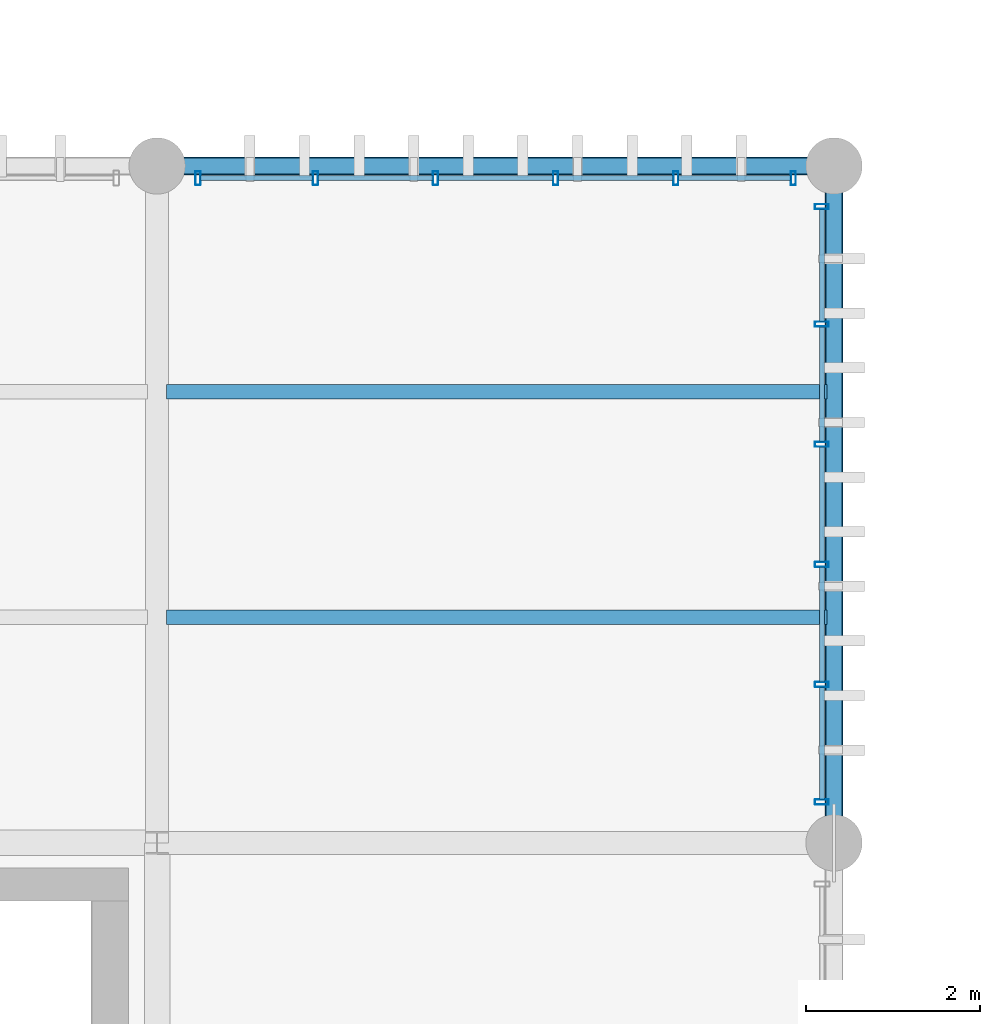
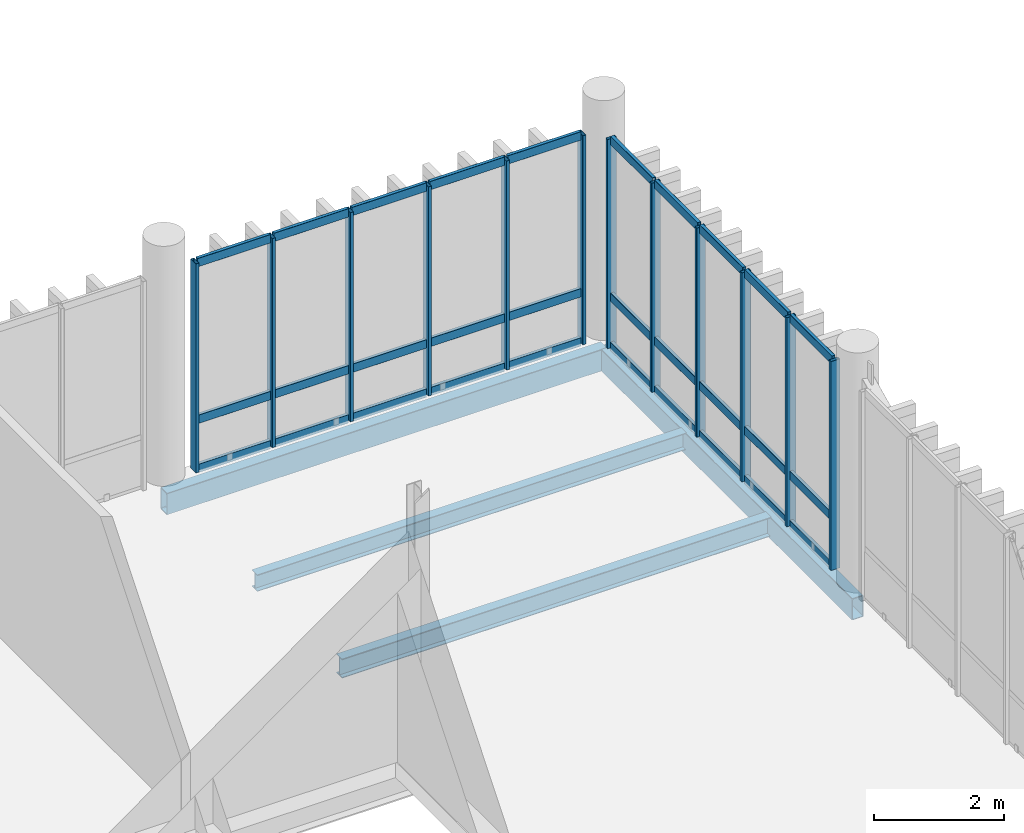
# One storey, part 19 of 66: 42 members, 4 beams, 2 elements without a shape of their own.
"""IFC4 building model written with IfcOpenShell, lengths in metres."""

from ifc_helpers import new_model, si_unit, direction, frame, origin_with_axes, origin_2d_with_axis, place, context, subcontext, project, spatial, hollow_rectangle, i_section, extrude, material, material_profile, profile_set, type_object, element, aggregate, save


model = new_model("IFC4")

# Units and contexts
model_context = context("Model", 3, precision=1e-05, world=origin_with_axes(), true_north=direction((0.0, 1.0)))
body_context = subcontext(model_context, "Body", "Model", "MODEL_VIEW")
ifc_project = project(units=[si_unit("LENGTHUNIT", "METRE"), si_unit("AREAUNIT", "SQUARE_METRE"), si_unit("VOLUMEUNIT", "CUBIC_METRE"), si_unit("PLANEANGLEUNIT", "RADIAN"), si_unit("MASSUNIT", "GRAM", prefix="KILO"), si_unit("THERMODYNAMICTEMPERATUREUNIT", "KELVIN")], contexts=[model_context])

# Site, building, storey
site_placement = place(None, origin_with_axes())
site = spatial("IfcSite", under=ifc_project, at=site_placement, CompositionType="ELEMENT")
building_placement = place(site_placement, origin_with_axes())
building = spatial("IfcBuilding", under=site, at=building_placement, Name="Montbau Bow Law Courts", CompositionType="ELEMENT")
storey_placement = place(building_placement, frame((0.0, 0.0, 34.5), z_axis=(0.0, 0.0, 1.0), x_axis=(1.0, 0.0, 0.0)))
storey = spatial("IfcBuildingStorey", under=building, at=storey_placement, Name="L07", CompositionType="ELEMENT", Elevation=34.5)

# Beams
ifc_material_1 = material(Name="Steel CSA G40.21 Grade 350W (350 MPa)", Category="steel")
ifc_material_profile_1 = material_profile(ifc_material_1, i_section(OverallWidth=0.172, OverallDepth=0.358, WebThickness=0.0079, FlangeThickness=0.0131, at=origin_2d_with_axis()), Name="W360X57", Category="Main", Priority=0)
ifc_profile_set_1 = profile_set([ifc_material_profile_1], Name="Steel CSA G40.21 Grade 350W (350 MPa)")
beam_type_1 = type_object("IfcBeamType", Name="B-JST-03", PredefinedType="JOIST", material=ifc_profile_set_1)
beam_1_placement = place(None, frame((39.109, 57.2, 34.021), z_axis=(1.0, 0.0, 0.0), x_axis=(0.0, 1.0, 0.0)))
element("IfcBeam", 1, at=beam_1_placement, inside=storey, type_object=beam_type_1, Name="JST-L07-S0386:jst2_0386", PredefinedType="JOIST", context=body_context, shape_type="SweptSolid", body=[
    extrude(i_section(OverallWidth=0.172, OverallDepth=0.358, WebThickness=0.0079, FlangeThickness=0.0131, at=origin_2d_with_axis()), origin_with_axes(), (0.0, 0.0, 1.0), 7.611),
])
ifc_material_profile_2 = material_profile(ifc_material_1, i_section(OverallWidth=0.166, OverallDepth=0.313, WebThickness=0.0066, FlangeThickness=0.0112, at=origin_2d_with_axis()), Name="W310X45", Category="Main", Priority=0)
ifc_profile_set_2 = profile_set([ifc_material_profile_2], Name="Steel CSA G40.21 Grade 350W (350 MPa)")
beam_type_2 = type_object("IfcBeamType", Name="B-JST-04", PredefinedType="JOIST", material=ifc_profile_set_2)
beam_2_placement = place(None, frame((39.109, 59.8, 34.044), z_axis=(1.0, 0.0, 0.0), x_axis=(0.0, 1.0, 0.0)))
element("IfcBeam", 2, at=beam_2_placement, inside=storey, type_object=beam_type_2, Name="JST-L07-S0387:jst2_0387", PredefinedType="JOIST", context=body_context, shape_type="SweptSolid", body=[
    extrude(i_section(OverallWidth=0.166, OverallDepth=0.313, WebThickness=0.0066, FlangeThickness=0.0112, at=origin_2d_with_axis()), origin_with_axes(), (0.0, 0.0, 1.0), 7.611),
])
ifc_material_2 = material(Name="Steel CSA G40.21 Grade 350WT (350 MPa)", Category="steel")
ifc_material_profile_3 = material_profile(ifc_material_2, hollow_rectangle(XDim=0.203, YDim=0.406, WallThickness=0.0127, InnerFilletRadius=0.0254, OuterFilletRadius=0.0127, at=origin_2d_with_axis()), Name="HSS406X203X13", Category="Main", Priority=0)
ifc_profile_set_3 = profile_set([ifc_material_profile_3], Name="Steel CSA G40.21 Grade 350WT (350 MPa)")
beam_type_3 = type_object("IfcBeamType", Name="B-SPN-01", PredefinedType="SPANDREL", material=ifc_profile_set_3)
for number, where, z_axis, x_axis, name in (
    (3, (39.0, 62.4, 33.997), (1.0, 0.0, 0.0), (0.0, 1.0, 0.0), "SPN-L07-S0737:bm2_0740"),
    (4, (46.8, 54.6, 33.997), (0.0, 1.0, 0.0), (-1.0, 0.0, 0.0), "SPN-L07-S0759:bm2_0762"),
):
    element("IfcBeam", number, at=place(None, frame(where, z_axis=z_axis, x_axis=x_axis)), inside=storey, type_object=beam_type_3, Name=name, PredefinedType="SPANDREL", context=body_context, shape_type="SweptSolid", body=[
        extrude(hollow_rectangle(XDim=0.203, YDim=0.406, WallThickness=0.0127, InnerFilletRadius=0.0254, OuterFilletRadius=0.0127, at=origin_2d_with_axis()), origin_with_axes(), (0.0, 0.0, 1.0), 7.8),
    ])

# Curtain wall, members
ifc_material_3 = material(Name="Thermally Broken Extruded Aluminium AA 6063-T6", Category="aluminium")
curtain_wall_type = type_object("IfcCurtainWallType", Name="CW-TRC-02", PredefinedType="NOTDEFINED", material=ifc_material_3)
curtain_wall_1_placement = place(None, frame((39.44, 62.26, 34.5), z_axis=(0.0, 0.0, 1.0), x_axis=(1.0, 0.0, 0.0)))
curtain_wall_1 = element("IfcCurtainWall", 5, at=curtain_wall_1_placement, inside=storey, type_object=curtain_wall_type, Name="CW-L07-116:cw_0116", PredefinedType="NOTDEFINED")
ifc_material_profile_4 = material_profile(ifc_material_3, hollow_rectangle(XDim=0.06, YDim=0.16, WallThickness=0.004, InnerFilletRadius=0.008, OuterFilletRadius=0.004, at=origin_2d_with_axis()), Name="CWM-160X60", Category="Main", Priority=0)
ifc_profile_set_4 = profile_set([ifc_material_profile_4], Name="Thermally Broken Extruded Aluminium AA 6063-T6")
member_type_1 = type_object("IfcMemberType", Name="M-MUL-03", PredefinedType="MULLION", material=ifc_profile_set_4)
member_1_placement = place(None, frame((39.47, 62.26, 34.5), z_axis=(0.0, 0.0, 1.0), x_axis=(1.0, 0.0, 0.0)))
member_1 = element("IfcMember", 6, at=member_1_placement, type_object=member_type_1, Name="CW-L07-116-M01:cw_0116_M01", PredefinedType="MULLION", context=body_context, shape_type="SweptSolid", body=[
    extrude(hollow_rectangle(XDim=0.06, YDim=0.16, WallThickness=0.004, InnerFilletRadius=0.008, OuterFilletRadius=0.004, at=origin_2d_with_axis()), origin_with_axes(), (0.0, 0.0, 1.0), 3.92),
])
member_2_placement = place(None, frame((40.824, 62.26, 34.5), z_axis=(0.0, 0.0, 1.0), x_axis=(1.0, 0.0, 0.0)))
member_2 = element("IfcMember", 7, at=member_2_placement, type_object=member_type_1, Name="CW-L07-116-M02:cw_0116_M02", PredefinedType="MULLION", context=body_context, shape_type="SweptSolid", body=[
    extrude(hollow_rectangle(XDim=0.06, YDim=0.16, WallThickness=0.004, InnerFilletRadius=0.008, OuterFilletRadius=0.004, at=origin_2d_with_axis()), origin_with_axes(), (0.0, 0.0, 1.0), 3.92),
])
member_3_placement = place(None, frame((42.208, 62.26, 34.5), z_axis=(0.0, 0.0, 1.0), x_axis=(1.0, 0.0, 0.0)))
member_3 = element("IfcMember", 8, at=member_3_placement, type_object=member_type_1, Name="CW-L07-116-M03:cw_0116_M03", PredefinedType="MULLION", context=body_context, shape_type="SweptSolid", body=[
    extrude(hollow_rectangle(XDim=0.06, YDim=0.16, WallThickness=0.004, InnerFilletRadius=0.008, OuterFilletRadius=0.004, at=origin_2d_with_axis()), origin_with_axes(), (0.0, 0.0, 1.0), 3.92),
])
member_4_placement = place(None, frame((43.592, 62.26, 34.5), z_axis=(0.0, 0.0, 1.0), x_axis=(1.0, 0.0, 0.0)))
member_4 = element("IfcMember", 9, at=member_4_placement, type_object=member_type_1, Name="CW-L07-116-M04:cw_0116_M04", PredefinedType="MULLION", context=body_context, shape_type="SweptSolid", body=[
    extrude(hollow_rectangle(XDim=0.06, YDim=0.16, WallThickness=0.004, InnerFilletRadius=0.008, OuterFilletRadius=0.004, at=origin_2d_with_axis()), origin_with_axes(), (0.0, 0.0, 1.0), 3.92),
])
member_5_placement = place(None, frame((44.976, 62.26, 34.5), z_axis=(0.0, 0.0, 1.0), x_axis=(1.0, 0.0, 0.0)))
member_5 = element("IfcMember", 10, at=member_5_placement, type_object=member_type_1, Name="CW-L07-116-M05:cw_0116_M05", PredefinedType="MULLION", context=body_context, shape_type="SweptSolid", body=[
    extrude(hollow_rectangle(XDim=0.06, YDim=0.16, WallThickness=0.004, InnerFilletRadius=0.008, OuterFilletRadius=0.004, at=origin_2d_with_axis()), origin_with_axes(), (0.0, 0.0, 1.0), 3.92),
])
member_6_placement = place(None, frame((46.33, 62.26, 34.5), z_axis=(0.0, 0.0, 1.0), x_axis=(1.0, 0.0, 0.0)))
member_6 = element("IfcMember", 11, at=member_6_placement, type_object=member_type_1, Name="CW-L07-116-M06:cw_0116_M06", PredefinedType="MULLION", context=body_context, shape_type="SweptSolid", body=[
    extrude(hollow_rectangle(XDim=0.06, YDim=0.16, WallThickness=0.004, InnerFilletRadius=0.008, OuterFilletRadius=0.004, at=origin_2d_with_axis()), origin_with_axes(), (0.0, 0.0, 1.0), 3.92),
])

curtain_wall_2_placement = place(None, frame((46.66, 55.04, 34.5), z_axis=(0.0, 0.0, 1.0), x_axis=(1.0, 0.0, 0.0)))
curtain_wall_2 = element("IfcCurtainWall", 12, at=curtain_wall_2_placement, inside=storey, type_object=curtain_wall_type, Name="CW-L07-122:cw_0122", PredefinedType="NOTDEFINED")
member_7_placement = place(None, frame((46.66, 55.07, 34.5), z_axis=(0.0, 0.0, 1.0), x_axis=(0.0, 1.0, 0.0)))
member_7 = element("IfcMember", 13, at=member_7_placement, type_object=member_type_1, Name="CW-L07-122-M01:cw_0122_M01", PredefinedType="MULLION", context=body_context, shape_type="SweptSolid", body=[
    extrude(hollow_rectangle(XDim=0.06, YDim=0.16, WallThickness=0.004, InnerFilletRadius=0.008, OuterFilletRadius=0.004, at=origin_2d_with_axis()), origin_with_axes(), (0.0, 0.0, 1.0), 3.92),
])
member_8_placement = place(None, frame((46.66, 56.424, 34.5), z_axis=(0.0, 0.0, 1.0), x_axis=(0.0, 1.0, 0.0)))
member_8 = element("IfcMember", 14, at=member_8_placement, type_object=member_type_1, Name="CW-L07-122-M02:cw_0122_M02", PredefinedType="MULLION", context=body_context, shape_type="SweptSolid", body=[
    extrude(hollow_rectangle(XDim=0.06, YDim=0.16, WallThickness=0.004, InnerFilletRadius=0.008, OuterFilletRadius=0.004, at=origin_2d_with_axis()), origin_with_axes(), (0.0, 0.0, 1.0), 3.92),
])
member_9_placement = place(None, frame((46.66, 57.808, 34.5), z_axis=(0.0, 0.0, 1.0), x_axis=(0.0, 1.0, 0.0)))
member_9 = element("IfcMember", 15, at=member_9_placement, type_object=member_type_1, Name="CW-L07-122-M03:cw_0122_M03", PredefinedType="MULLION", context=body_context, shape_type="SweptSolid", body=[
    extrude(hollow_rectangle(XDim=0.06, YDim=0.16, WallThickness=0.004, InnerFilletRadius=0.008, OuterFilletRadius=0.004, at=origin_2d_with_axis()), origin_with_axes(), (0.0, 0.0, 1.0), 3.92),
])
member_10_placement = place(None, frame((46.66, 59.192, 34.5), z_axis=(0.0, 0.0, 1.0), x_axis=(0.0, 1.0, 0.0)))
member_10 = element("IfcMember", 16, at=member_10_placement, type_object=member_type_1, Name="CW-L07-122-M04:cw_0122_M04", PredefinedType="MULLION", context=body_context, shape_type="SweptSolid", body=[
    extrude(hollow_rectangle(XDim=0.06, YDim=0.16, WallThickness=0.004, InnerFilletRadius=0.008, OuterFilletRadius=0.004, at=origin_2d_with_axis()), origin_with_axes(), (0.0, 0.0, 1.0), 3.92),
])
member_11_placement = place(None, frame((46.66, 60.576, 34.5), z_axis=(0.0, 0.0, 1.0), x_axis=(0.0, 1.0, 0.0)))
member_11 = element("IfcMember", 17, at=member_11_placement, type_object=member_type_1, Name="CW-L07-122-M05:cw_0122_M05", PredefinedType="MULLION", context=body_context, shape_type="SweptSolid", body=[
    extrude(hollow_rectangle(XDim=0.06, YDim=0.16, WallThickness=0.004, InnerFilletRadius=0.008, OuterFilletRadius=0.004, at=origin_2d_with_axis()), origin_with_axes(), (0.0, 0.0, 1.0), 3.92),
])
member_12_placement = place(None, frame((46.66, 61.93, 34.5), z_axis=(0.0, 0.0, 1.0), x_axis=(0.0, 1.0, 0.0)))
member_12 = element("IfcMember", 18, at=member_12_placement, type_object=member_type_1, Name="CW-L07-122-M06:cw_0122_M06", PredefinedType="MULLION", context=body_context, shape_type="SweptSolid", body=[
    extrude(hollow_rectangle(XDim=0.06, YDim=0.16, WallThickness=0.004, InnerFilletRadius=0.008, OuterFilletRadius=0.004, at=origin_2d_with_axis()), origin_with_axes(), (0.0, 0.0, 1.0), 3.92),
])

# Member
ifc_material_profile_5 = material_profile(ifc_material_3, hollow_rectangle(XDim=0.06, YDim=0.16, WallThickness=0.004, InnerFilletRadius=0.008, OuterFilletRadius=0.004, at=origin_2d_with_axis()), Name="CWT-160X60", Category="Main", Priority=0)
ifc_profile_set_5 = profile_set([ifc_material_profile_5], Name="Thermally Broken Extruded Aluminium AA 6063-T6")
member_type_2 = type_object("IfcMemberType", Name="M-TRN-01", PredefinedType="USERDEFINED", material=ifc_profile_set_5)
member_13_placement = place(None, frame((39.502, 62.26, 34.53), z_axis=(1.0, 0.0, 0.0), x_axis=(0.0, 1.0, 0.0)))
member_13 = element("IfcMember", 19, at=member_13_placement, type_object=member_type_2, Name="CW-L07-116-T01-1:cw_0116_T01_1", ObjectType="TRANSOM", PredefinedType="USERDEFINED", context=body_context, shape_type="SweptSolid", body=[
    extrude(hollow_rectangle(XDim=0.06, YDim=0.16, WallThickness=0.004, InnerFilletRadius=0.008, OuterFilletRadius=0.004, at=origin_2d_with_axis()), origin_with_axes(), (0.0, 0.0, 1.0), 1.29),
])

member_14_placement = place(None, frame((39.502, 62.26, 35.45), z_axis=(1.0, 0.0, 0.0), x_axis=(0.0, 1.0, 0.0)))
member_14 = element("IfcMember", 20, at=member_14_placement, type_object=member_type_2, Name="CW-L07-116-T01-2:cw_0116_T01_2", ObjectType="TRANSOM", PredefinedType="USERDEFINED", context=body_context, shape_type="SweptSolid", body=[
    extrude(hollow_rectangle(XDim=0.06, YDim=0.16, WallThickness=0.004, InnerFilletRadius=0.008, OuterFilletRadius=0.004, at=origin_2d_with_axis()), origin_with_axes(), (0.0, 0.0, 1.0), 1.29),
])

member_15_placement = place(None, frame((39.502, 62.26, 38.39), z_axis=(1.0, 0.0, 0.0), x_axis=(0.0, 1.0, 0.0)))
member_15 = element("IfcMember", 21, at=member_15_placement, type_object=member_type_2, Name="CW-L07-116-T01-3:cw_0116_T01_3", ObjectType="TRANSOM", PredefinedType="USERDEFINED", context=body_context, shape_type="SweptSolid", body=[
    extrude(hollow_rectangle(XDim=0.06, YDim=0.16, WallThickness=0.004, InnerFilletRadius=0.008, OuterFilletRadius=0.004, at=origin_2d_with_axis()), origin_with_axes(), (0.0, 0.0, 1.0), 1.29),
])

member_16_placement = place(None, frame((40.856, 62.26, 34.53), z_axis=(1.0, 0.0, 0.0), x_axis=(0.0, 1.0, 0.0)))
member_16 = element("IfcMember", 22, at=member_16_placement, type_object=member_type_2, Name="CW-L07-116-T02-1:cw_0116_T02_1", ObjectType="TRANSOM", PredefinedType="USERDEFINED", context=body_context, shape_type="SweptSolid", body=[
    extrude(hollow_rectangle(XDim=0.06, YDim=0.16, WallThickness=0.004, InnerFilletRadius=0.008, OuterFilletRadius=0.004, at=origin_2d_with_axis()), origin_with_axes(), (0.0, 0.0, 1.0), 1.32),
])

member_17_placement = place(None, frame((40.856, 62.26, 35.45), z_axis=(1.0, 0.0, 0.0), x_axis=(0.0, 1.0, 0.0)))
member_17 = element("IfcMember", 23, at=member_17_placement, type_object=member_type_2, Name="CW-L07-116-T02-2:cw_0116_T02_2", ObjectType="TRANSOM", PredefinedType="USERDEFINED", context=body_context, shape_type="SweptSolid", body=[
    extrude(hollow_rectangle(XDim=0.06, YDim=0.16, WallThickness=0.004, InnerFilletRadius=0.008, OuterFilletRadius=0.004, at=origin_2d_with_axis()), origin_with_axes(), (0.0, 0.0, 1.0), 1.32),
])

member_18_placement = place(None, frame((40.856, 62.26, 38.39), z_axis=(1.0, 0.0, 0.0), x_axis=(0.0, 1.0, 0.0)))
member_18 = element("IfcMember", 24, at=member_18_placement, type_object=member_type_2, Name="CW-L07-116-T02-3:cw_0116_T02_3", ObjectType="TRANSOM", PredefinedType="USERDEFINED", context=body_context, shape_type="SweptSolid", body=[
    extrude(hollow_rectangle(XDim=0.06, YDim=0.16, WallThickness=0.004, InnerFilletRadius=0.008, OuterFilletRadius=0.004, at=origin_2d_with_axis()), origin_with_axes(), (0.0, 0.0, 1.0), 1.32),
])

member_19_placement = place(None, frame((42.24, 62.26, 34.53), z_axis=(1.0, 0.0, 0.0), x_axis=(0.0, 1.0, 0.0)))
member_19 = element("IfcMember", 25, at=member_19_placement, type_object=member_type_2, Name="CW-L07-116-T03-1:cw_0116_T03_1", ObjectType="TRANSOM", PredefinedType="USERDEFINED", context=body_context, shape_type="SweptSolid", body=[
    extrude(hollow_rectangle(XDim=0.06, YDim=0.16, WallThickness=0.004, InnerFilletRadius=0.008, OuterFilletRadius=0.004, at=origin_2d_with_axis()), origin_with_axes(), (0.0, 0.0, 1.0), 1.32),
])

member_20_placement = place(None, frame((42.24, 62.26, 35.45), z_axis=(1.0, 0.0, 0.0), x_axis=(0.0, 1.0, 0.0)))
member_20 = element("IfcMember", 26, at=member_20_placement, type_object=member_type_2, Name="CW-L07-116-T03-2:cw_0116_T03_2", ObjectType="TRANSOM", PredefinedType="USERDEFINED", context=body_context, shape_type="SweptSolid", body=[
    extrude(hollow_rectangle(XDim=0.06, YDim=0.16, WallThickness=0.004, InnerFilletRadius=0.008, OuterFilletRadius=0.004, at=origin_2d_with_axis()), origin_with_axes(), (0.0, 0.0, 1.0), 1.32),
])

member_21_placement = place(None, frame((42.24, 62.26, 38.39), z_axis=(1.0, 0.0, 0.0), x_axis=(0.0, 1.0, 0.0)))
member_21 = element("IfcMember", 27, at=member_21_placement, type_object=member_type_2, Name="CW-L07-116-T03-3:cw_0116_T03_3", ObjectType="TRANSOM", PredefinedType="USERDEFINED", context=body_context, shape_type="SweptSolid", body=[
    extrude(hollow_rectangle(XDim=0.06, YDim=0.16, WallThickness=0.004, InnerFilletRadius=0.008, OuterFilletRadius=0.004, at=origin_2d_with_axis()), origin_with_axes(), (0.0, 0.0, 1.0), 1.32),
])

member_22_placement = place(None, frame((43.624, 62.26, 34.53), z_axis=(1.0, 0.0, 0.0), x_axis=(0.0, 1.0, 0.0)))
member_22 = element("IfcMember", 28, at=member_22_placement, type_object=member_type_2, Name="CW-L07-116-T04-1:cw_0116_T04_1", ObjectType="TRANSOM", PredefinedType="USERDEFINED", context=body_context, shape_type="SweptSolid", body=[
    extrude(hollow_rectangle(XDim=0.06, YDim=0.16, WallThickness=0.004, InnerFilletRadius=0.008, OuterFilletRadius=0.004, at=origin_2d_with_axis()), origin_with_axes(), (0.0, 0.0, 1.0), 1.32),
])

member_23_placement = place(None, frame((43.624, 62.26, 35.45), z_axis=(1.0, 0.0, 0.0), x_axis=(0.0, 1.0, 0.0)))
member_23 = element("IfcMember", 29, at=member_23_placement, type_object=member_type_2, Name="CW-L07-116-T04-2:cw_0116_T04_2", ObjectType="TRANSOM", PredefinedType="USERDEFINED", context=body_context, shape_type="SweptSolid", body=[
    extrude(hollow_rectangle(XDim=0.06, YDim=0.16, WallThickness=0.004, InnerFilletRadius=0.008, OuterFilletRadius=0.004, at=origin_2d_with_axis()), origin_with_axes(), (0.0, 0.0, 1.0), 1.32),
])

member_24_placement = place(None, frame((43.624, 62.26, 38.39), z_axis=(1.0, 0.0, 0.0), x_axis=(0.0, 1.0, 0.0)))
member_24 = element("IfcMember", 30, at=member_24_placement, type_object=member_type_2, Name="CW-L07-116-T04-3:cw_0116_T04_3", ObjectType="TRANSOM", PredefinedType="USERDEFINED", context=body_context, shape_type="SweptSolid", body=[
    extrude(hollow_rectangle(XDim=0.06, YDim=0.16, WallThickness=0.004, InnerFilletRadius=0.008, OuterFilletRadius=0.004, at=origin_2d_with_axis()), origin_with_axes(), (0.0, 0.0, 1.0), 1.32),
])

member_25_placement = place(None, frame((45.008, 62.26, 34.53), z_axis=(1.0, 0.0, 0.0), x_axis=(0.0, 1.0, 0.0)))
member_25 = element("IfcMember", 31, at=member_25_placement, type_object=member_type_2, Name="CW-L07-116-T05-1:cw_0116_T05_1", ObjectType="TRANSOM", PredefinedType="USERDEFINED", context=body_context, shape_type="SweptSolid", body=[
    extrude(hollow_rectangle(XDim=0.06, YDim=0.16, WallThickness=0.004, InnerFilletRadius=0.008, OuterFilletRadius=0.004, at=origin_2d_with_axis()), origin_with_axes(), (0.0, 0.0, 1.0), 1.29),
])

member_26_placement = place(None, frame((45.008, 62.26, 35.45), z_axis=(1.0, 0.0, 0.0), x_axis=(0.0, 1.0, 0.0)))
member_26 = element("IfcMember", 32, at=member_26_placement, type_object=member_type_2, Name="CW-L07-116-T05-2:cw_0116_T05_2", ObjectType="TRANSOM", PredefinedType="USERDEFINED", context=body_context, shape_type="SweptSolid", body=[
    extrude(hollow_rectangle(XDim=0.06, YDim=0.16, WallThickness=0.004, InnerFilletRadius=0.008, OuterFilletRadius=0.004, at=origin_2d_with_axis()), origin_with_axes(), (0.0, 0.0, 1.0), 1.29),
])

member_27_placement = place(None, frame((45.008, 62.26, 38.39), z_axis=(1.0, 0.0, 0.0), x_axis=(0.0, 1.0, 0.0)))
member_27 = element("IfcMember", 33, at=member_27_placement, type_object=member_type_2, Name="CW-L07-116-T05-3:cw_0116_T05_3", ObjectType="TRANSOM", PredefinedType="USERDEFINED", context=body_context, shape_type="SweptSolid", body=[
    extrude(hollow_rectangle(XDim=0.06, YDim=0.16, WallThickness=0.004, InnerFilletRadius=0.008, OuterFilletRadius=0.004, at=origin_2d_with_axis()), origin_with_axes(), (0.0, 0.0, 1.0), 1.29),
])

aggregate(curtain_wall_1, [member_1, member_2, member_3, member_4, member_5, member_6, member_13, member_14, member_15, member_16, member_17, member_18, member_19, member_20, member_21, member_22, member_23, member_24, member_25, member_26, member_27])

member_28_placement = place(None, frame((46.66, 55.102, 34.53), z_axis=(0.0, 1.0, 0.0), x_axis=(-1.0, 0.0, 0.0)))
member_28 = element("IfcMember", 34, at=member_28_placement, type_object=member_type_2, Name="CW-L07-122-T01-1:cw_0122_T01_1", ObjectType="TRANSOM", PredefinedType="USERDEFINED", context=body_context, shape_type="SweptSolid", body=[
    extrude(hollow_rectangle(XDim=0.06, YDim=0.16, WallThickness=0.004, InnerFilletRadius=0.008, OuterFilletRadius=0.004, at=origin_2d_with_axis()), origin_with_axes(), (0.0, 0.0, 1.0), 1.29),
])

member_29_placement = place(None, frame((46.66, 55.102, 35.45), z_axis=(0.0, 1.0, 0.0), x_axis=(-1.0, 0.0, 0.0)))
member_29 = element("IfcMember", 35, at=member_29_placement, type_object=member_type_2, Name="CW-L07-122-T01-2:cw_0122_T01_2", ObjectType="TRANSOM", PredefinedType="USERDEFINED", context=body_context, shape_type="SweptSolid", body=[
    extrude(hollow_rectangle(XDim=0.06, YDim=0.16, WallThickness=0.004, InnerFilletRadius=0.008, OuterFilletRadius=0.004, at=origin_2d_with_axis()), origin_with_axes(), (0.0, 0.0, 1.0), 1.29),
])

member_30_placement = place(None, frame((46.66, 55.102, 38.39), z_axis=(0.0, 1.0, 0.0), x_axis=(-1.0, 0.0, 0.0)))
member_30 = element("IfcMember", 36, at=member_30_placement, type_object=member_type_2, Name="CW-L07-122-T01-3:cw_0122_T01_3", ObjectType="TRANSOM", PredefinedType="USERDEFINED", context=body_context, shape_type="SweptSolid", body=[
    extrude(hollow_rectangle(XDim=0.06, YDim=0.16, WallThickness=0.004, InnerFilletRadius=0.008, OuterFilletRadius=0.004, at=origin_2d_with_axis()), origin_with_axes(), (0.0, 0.0, 1.0), 1.29),
])

member_31_placement = place(None, frame((46.66, 56.456, 34.53), z_axis=(0.0, 1.0, 0.0), x_axis=(-1.0, 0.0, 0.0)))
member_31 = element("IfcMember", 37, at=member_31_placement, type_object=member_type_2, Name="CW-L07-122-T02-1:cw_0122_T02_1", ObjectType="TRANSOM", PredefinedType="USERDEFINED", context=body_context, shape_type="SweptSolid", body=[
    extrude(hollow_rectangle(XDim=0.06, YDim=0.16, WallThickness=0.004, InnerFilletRadius=0.008, OuterFilletRadius=0.004, at=origin_2d_with_axis()), origin_with_axes(), (0.0, 0.0, 1.0), 1.32),
])

member_32_placement = place(None, frame((46.66, 56.456, 35.45), z_axis=(0.0, 1.0, 0.0), x_axis=(-1.0, 0.0, 0.0)))
member_32 = element("IfcMember", 38, at=member_32_placement, type_object=member_type_2, Name="CW-L07-122-T02-2:cw_0122_T02_2", ObjectType="TRANSOM", PredefinedType="USERDEFINED", context=body_context, shape_type="SweptSolid", body=[
    extrude(hollow_rectangle(XDim=0.06, YDim=0.16, WallThickness=0.004, InnerFilletRadius=0.008, OuterFilletRadius=0.004, at=origin_2d_with_axis()), origin_with_axes(), (0.0, 0.0, 1.0), 1.32),
])

member_33_placement = place(None, frame((46.66, 56.456, 38.39), z_axis=(0.0, 1.0, 0.0), x_axis=(-1.0, 0.0, 0.0)))
member_33 = element("IfcMember", 39, at=member_33_placement, type_object=member_type_2, Name="CW-L07-122-T02-3:cw_0122_T02_3", ObjectType="TRANSOM", PredefinedType="USERDEFINED", context=body_context, shape_type="SweptSolid", body=[
    extrude(hollow_rectangle(XDim=0.06, YDim=0.16, WallThickness=0.004, InnerFilletRadius=0.008, OuterFilletRadius=0.004, at=origin_2d_with_axis()), origin_with_axes(), (0.0, 0.0, 1.0), 1.32),
])

member_34_placement = place(None, frame((46.66, 57.84, 34.53), z_axis=(0.0, 1.0, 0.0), x_axis=(-1.0, 0.0, 0.0)))
member_34 = element("IfcMember", 40, at=member_34_placement, type_object=member_type_2, Name="CW-L07-122-T03-1:cw_0122_T03_1", ObjectType="TRANSOM", PredefinedType="USERDEFINED", context=body_context, shape_type="SweptSolid", body=[
    extrude(hollow_rectangle(XDim=0.06, YDim=0.16, WallThickness=0.004, InnerFilletRadius=0.008, OuterFilletRadius=0.004, at=origin_2d_with_axis()), origin_with_axes(), (0.0, 0.0, 1.0), 1.32),
])

member_35_placement = place(None, frame((46.66, 57.84, 35.45), z_axis=(0.0, 1.0, 0.0), x_axis=(-1.0, 0.0, 0.0)))
member_35 = element("IfcMember", 41, at=member_35_placement, type_object=member_type_2, Name="CW-L07-122-T03-2:cw_0122_T03_2", ObjectType="TRANSOM", PredefinedType="USERDEFINED", context=body_context, shape_type="SweptSolid", body=[
    extrude(hollow_rectangle(XDim=0.06, YDim=0.16, WallThickness=0.004, InnerFilletRadius=0.008, OuterFilletRadius=0.004, at=origin_2d_with_axis()), origin_with_axes(), (0.0, 0.0, 1.0), 1.32),
])

member_36_placement = place(None, frame((46.66, 57.84, 38.39), z_axis=(0.0, 1.0, 0.0), x_axis=(-1.0, 0.0, 0.0)))
member_36 = element("IfcMember", 42, at=member_36_placement, type_object=member_type_2, Name="CW-L07-122-T03-3:cw_0122_T03_3", ObjectType="TRANSOM", PredefinedType="USERDEFINED", context=body_context, shape_type="SweptSolid", body=[
    extrude(hollow_rectangle(XDim=0.06, YDim=0.16, WallThickness=0.004, InnerFilletRadius=0.008, OuterFilletRadius=0.004, at=origin_2d_with_axis()), origin_with_axes(), (0.0, 0.0, 1.0), 1.32),
])

member_37_placement = place(None, frame((46.66, 59.224, 34.53), z_axis=(0.0, 1.0, 0.0), x_axis=(-1.0, 0.0, 0.0)))
member_37 = element("IfcMember", 43, at=member_37_placement, type_object=member_type_2, Name="CW-L07-122-T04-1:cw_0122_T04_1", ObjectType="TRANSOM", PredefinedType="USERDEFINED", context=body_context, shape_type="SweptSolid", body=[
    extrude(hollow_rectangle(XDim=0.06, YDim=0.16, WallThickness=0.004, InnerFilletRadius=0.008, OuterFilletRadius=0.004, at=origin_2d_with_axis()), origin_with_axes(), (0.0, 0.0, 1.0), 1.32),
])

member_38_placement = place(None, frame((46.66, 59.224, 35.45), z_axis=(0.0, 1.0, 0.0), x_axis=(-1.0, 0.0, 0.0)))
member_38 = element("IfcMember", 44, at=member_38_placement, type_object=member_type_2, Name="CW-L07-122-T04-2:cw_0122_T04_2", ObjectType="TRANSOM", PredefinedType="USERDEFINED", context=body_context, shape_type="SweptSolid", body=[
    extrude(hollow_rectangle(XDim=0.06, YDim=0.16, WallThickness=0.004, InnerFilletRadius=0.008, OuterFilletRadius=0.004, at=origin_2d_with_axis()), origin_with_axes(), (0.0, 0.0, 1.0), 1.32),
])

member_39_placement = place(None, frame((46.66, 59.224, 38.39), z_axis=(0.0, 1.0, 0.0), x_axis=(-1.0, 0.0, 0.0)))
member_39 = element("IfcMember", 45, at=member_39_placement, type_object=member_type_2, Name="CW-L07-122-T04-3:cw_0122_T04_3", ObjectType="TRANSOM", PredefinedType="USERDEFINED", context=body_context, shape_type="SweptSolid", body=[
    extrude(hollow_rectangle(XDim=0.06, YDim=0.16, WallThickness=0.004, InnerFilletRadius=0.008, OuterFilletRadius=0.004, at=origin_2d_with_axis()), origin_with_axes(), (0.0, 0.0, 1.0), 1.32),
])

member_40_placement = place(None, frame((46.66, 60.608, 34.53), z_axis=(0.0, 1.0, 0.0), x_axis=(-1.0, 0.0, 0.0)))
member_40 = element("IfcMember", 46, at=member_40_placement, type_object=member_type_2, Name="CW-L07-122-T05-1:cw_0122_T05_1", ObjectType="TRANSOM", PredefinedType="USERDEFINED", context=body_context, shape_type="SweptSolid", body=[
    extrude(hollow_rectangle(XDim=0.06, YDim=0.16, WallThickness=0.004, InnerFilletRadius=0.008, OuterFilletRadius=0.004, at=origin_2d_with_axis()), origin_with_axes(), (0.0, 0.0, 1.0), 1.29),
])

member_41_placement = place(None, frame((46.66, 60.608, 35.45), z_axis=(0.0, 1.0, 0.0), x_axis=(-1.0, 0.0, 0.0)))
member_41 = element("IfcMember", 47, at=member_41_placement, type_object=member_type_2, Name="CW-L07-122-T05-2:cw_0122_T05_2", ObjectType="TRANSOM", PredefinedType="USERDEFINED", context=body_context, shape_type="SweptSolid", body=[
    extrude(hollow_rectangle(XDim=0.06, YDim=0.16, WallThickness=0.004, InnerFilletRadius=0.008, OuterFilletRadius=0.004, at=origin_2d_with_axis()), origin_with_axes(), (0.0, 0.0, 1.0), 1.29),
])

member_42_placement = place(None, frame((46.66, 60.608, 38.39), z_axis=(0.0, 1.0, 0.0), x_axis=(-1.0, 0.0, 0.0)))
member_42 = element("IfcMember", 48, at=member_42_placement, type_object=member_type_2, Name="CW-L07-122-T05-3:cw_0122_T05_3", ObjectType="TRANSOM", PredefinedType="USERDEFINED", context=body_context, shape_type="SweptSolid", body=[
    extrude(hollow_rectangle(XDim=0.06, YDim=0.16, WallThickness=0.004, InnerFilletRadius=0.008, OuterFilletRadius=0.004, at=origin_2d_with_axis()), origin_with_axes(), (0.0, 0.0, 1.0), 1.29),
])

aggregate(curtain_wall_2, [member_7, member_8, member_9, member_10, member_11, member_12, member_28, member_29, member_30, member_31, member_32, member_33, member_34, member_35, member_36, member_37, member_38, member_39, member_40, member_41, member_42])

save(model, "model.ifc")
